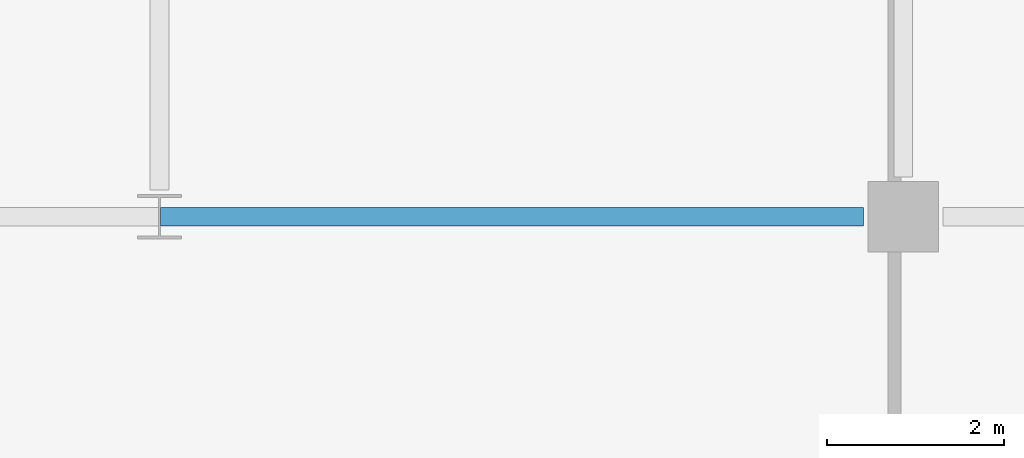
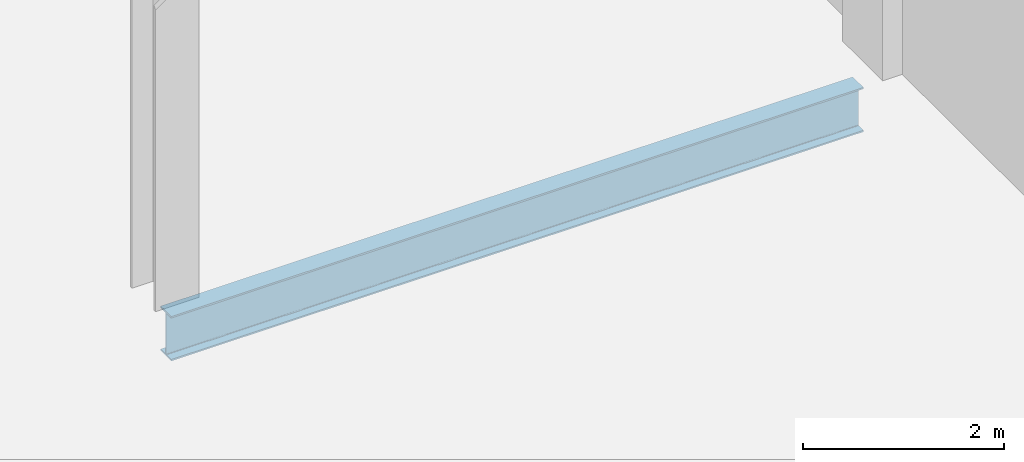
# One storey, part 10 of 28: 1 beam.
"""IFC4 building model written with IfcOpenShell, lengths in metres."""

from ifc_helpers import new_model, si_unit, direction, frame, origin, origin_2d, place, context, subcontext, project, spatial, i_section, extrude, material, material_profile, profile_set, type_object, element, save


model = new_model("IFC4")

# Units and contexts
model_context = context("Model", 3, precision=1e-05, world=origin(), true_north=direction((0.0, 1.0)))
body_context = subcontext(model_context, "Body", "Model", "MODEL_VIEW")
ifc_project = project(units=[si_unit("LENGTHUNIT", "METRE"), si_unit("AREAUNIT", "SQUARE_METRE"), si_unit("VOLUMEUNIT", "CUBIC_METRE"), si_unit("PLANEANGLEUNIT", "RADIAN"), si_unit("MASSUNIT", "GRAM", prefix="KILO")], contexts=[model_context])

# Site, building, storey
site_placement = place(None, origin())
site = spatial("IfcSite", under=ifc_project, at=site_placement, CompositionType="ELEMENT")
building_placement = place(site_placement, origin())
building = spatial("IfcBuilding", under=site, at=building_placement, Name="Maruvema Waterfront Hotel and Observation Tower", CompositionType="ELEMENT")
storey_placement = place(building_placement, frame((0.0, 0.0, 234.5)))
storey = spatial("IfcBuildingStorey", under=building, at=storey_placement, Name="L57", CompositionType="ELEMENT", Elevation=234.5)

# Beam
ifc_material = material(Name="Steel ASTM A572 Grade 50", Category="steel")
ifc_material_profile = material_profile(ifc_material, i_section(OverallWidth=0.2109375, OverallDepth=0.5390625, WebThickness=0.01171875, FlangeThickness=0.018798828125, FilletRadius=0.014892578125, at=origin_2d()), Name="W530x109.0")
ifc_profile_set = profile_set([ifc_material_profile], Name="Steel ASTM A572 Grade 50")
beam_type = type_object("IfcBeamType", Name="Primary Floor Girder W530x109.0", PredefinedType="BEAM", material=ifc_profile_set)
beam_placement = place(storey_placement, frame((42.012451171875, 18.0, -0.509521484375), z_axis=(1.0, 0.0, 0.0), x_axis=(0.0, 1.0, 0.0)))
element("IfcBeam", 1, at=beam_placement, inside=storey, type_object=beam_type, Name="L57 Floor Girder EW-04", PredefinedType="BEAM", context=body_context, shape_type="SweptSolid", body=[
    extrude(i_section(OverallWidth=0.2109375, OverallDepth=0.5390625, WebThickness=0.01171875, FlangeThickness=0.018798828125, FilletRadius=0.014892578125, at=origin_2d()), origin(), (0.0, 0.0, 1.0), 7.9375),
])

save(model, "model.ifc")
